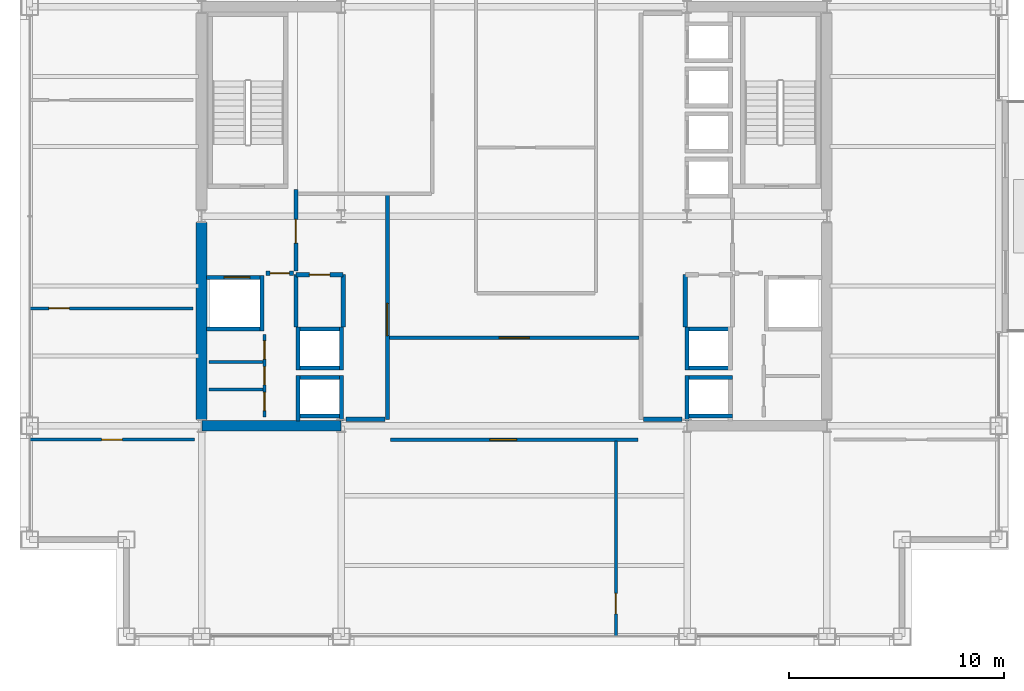
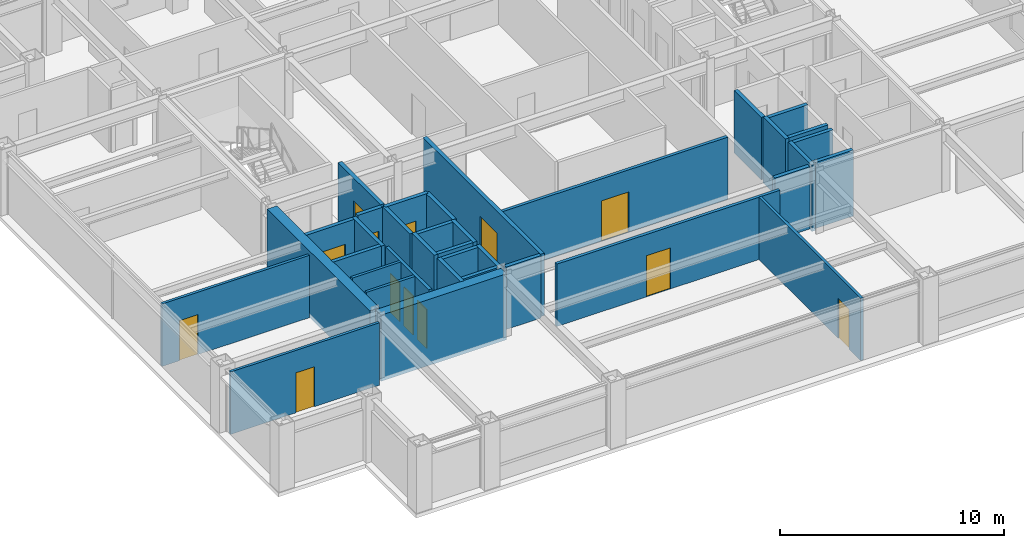
# One storey, part 24 of 29: 36 walls, 13 doors, 13 openings.
"""IFC4 building model written with IfcOpenShell, lengths in metres."""

from ifc_helpers import new_model, si_unit, direction, frame, frame_2d, origin, place, context, subcontext, project, spatial, rectangle, extrude, material, layer, layer_set, type_object, element, fill, save


model = new_model("IFC4")

# Units and contexts
model_context = context("Model", 3, precision=1e-05, world=origin(), true_north=direction((0.0, 1.0)))
body_context = subcontext(model_context, "Body", "Model", "MODEL_VIEW")
ifc_project = project(units=[si_unit("LENGTHUNIT", "METRE"), si_unit("AREAUNIT", "SQUARE_METRE"), si_unit("VOLUMEUNIT", "CUBIC_METRE"), si_unit("PLANEANGLEUNIT", "RADIAN"), si_unit("MASSUNIT", "GRAM", prefix="KILO")], contexts=[model_context])

# Site, building, storey
site_placement = place(None, origin())
site = spatial("IfcSite", under=ifc_project, at=site_placement, CompositionType="ELEMENT")
building_placement = place(site_placement, origin())
building = spatial("IfcBuilding", under=site, at=building_placement, Name="Brelmoor Portico Tower", CompositionType="ELEMENT")
storey_placement = place(building_placement, frame((0.0, 0.0, 135.0)))
storey = spatial("IfcBuildingStorey", under=building, at=storey_placement, Name="L35", CompositionType="ELEMENT", Elevation=135.0)

# Walls
ifc_material_1 = material(Name="Concrete C60", Category="concrete")
ifc_layer_1 = layer(ifc_material_1, 0.5)
ifc_layer_set_1 = layer_set([ifc_layer_1], Name="Concrete C60")
wall_type_1 = type_object("IfcWallType", Name="WL-CORE-500", PredefinedType="SHEAR", material=ifc_layer_set_1)
wall_1_placement = place(storey_placement, frame((-14.530029296875, -9.75, -0.199951171875), z_axis=(0.0, 0.0, 1.0), x_axis=(1.0, 0.0, 0.0)))
element("IfcWall", 1, at=wall_1_placement, inside=storey, type_object=wall_type_1, Name="L35 WC South Shear Wall", PredefinedType="SHEAR", context=body_context, shape_type="SweptSolid", body=[
    extrude(rectangle(XDim=6.4599609375, YDim=0.5, at=frame_2d((3.22998046875, 0.0))), origin(), (0.0, 0.0, 1.0), 3.599853515625),
])
wall_2_placement = place(storey_placement, frame((-14.550048828125, -9.449951171875, -0.199951171875), z_axis=(0.0, 0.0, 1.0), x_axis=(0.0, 1.0, 0.0)))
element("IfcWall", 2, at=wall_2_placement, inside=storey, type_object=wall_type_1, Name="L35 WC Outer South Shear Wall", PredefinedType="SHEAR", context=body_context, shape_type="SweptSolid", body=[
    extrude(rectangle(XDim=9.14990234375, YDim=0.5, at=frame_2d((4.574951171875, 0.0))), origin(), (0.0, 0.0, 1.0), 3.599853515625),
])
ifc_material_2 = material(Name="Insulated Stud Suite Partition", Category="gypsum")
ifc_layer_2 = layer(ifc_material_2, 0.139892578125)
ifc_layer_set_2 = layer_set([ifc_layer_2], Name="Insulated Stud Suite Partition")
wall_type_2 = type_object("IfcWallType", Name="WL-PART-140", PredefinedType="PARTITIONING", material=ifc_layer_set_2)
for number, where, z_axis, x_axis, name in (
    (3, (-11.699951171875, -8.066650390625, 0.0), (0.0, 0.0, 1.0), (-1.0, 0.0, 0.0), "L35 W Core WC Divider 1"),
    (4, (-11.699951171875, -6.783203125, 0.0), (0.0, 0.0, 1.0), (-1.0, 0.0, 0.0), "L35 W Core WC Divider 2"),
):
    element("IfcWall", number, at=place(storey_placement, frame(where, z_axis=z_axis, x_axis=x_axis)), inside=storey, type_object=wall_type_2, Name=name, PredefinedType="PARTITIONING", context=body_context, shape_type="SweptSolid", body=[
        extrude(rectangle(XDim=2.5, YDim=0.139892578125, at=frame_2d((1.25, 0.0))), origin(), (0.0, 0.0, 1.0), 3.39990234375),
    ])

# Wall, opening, door
wall_3_placement = place(storey_placement, frame((4.73486328125, -19.56005859375, 0.0), z_axis=(0.0, 0.0, 1.0), x_axis=(0.0, 1.0, 0.0)))
wall_3 = element("IfcWall", 5, at=wall_3_placement, inside=storey, type_object=wall_type_2, Name="L35 South Suite Partition 1", PredefinedType="PARTITIONING", context=body_context, shape_type="SweptSolid", body=[
    extrude(rectangle(XDim=9.10009765625, YDim=0.139892578125, at=frame_2d((4.550048828125, 0.0))), origin(), (0.0, 0.0, 1.0), 3.39990234375),
])
opening_1_placement = place(wall_3_placement, frame((1.050048828125, 0.0, 0.0)))
opening_1 = element("IfcOpeningElement", 6, at=opening_1_placement, cuts=wall_3, Name="Opening D-IN2", PredefinedType="OPENING", context=body_context, shape_type="SweptSolid", body=[
    extrude(rectangle(XDim=0.9599609375, YDim=2.179931640625, at=frame_2d((0.47998046875, 1.08984375))), frame((0.0, 0.079833984375, 0.0), z_axis=(0.0, -1.0, 0.0), x_axis=(1.0, 0.0, 0.0)), (0.0, 0.0, 1.0), 0.159912109375),
])
ifc_material_3 = material(Name="Lacquered Timber Suite Door", Category="wood")
door_type_1 = type_object("IfcDoorType", Name="DR-INT-950", OperationType="NOTDEFINED", PredefinedType="DOOR", material=ifc_material_3)
door_1_placement = place(opening_1_placement, origin())
door_1 = element("IfcDoor", 7, at=door_1_placement, inside=storey, type_object=door_type_1, Name="D-1540 L35 South Suite Connecting Door 1", OperationType="SINGLE_SWING_LEFT", OverallHeight=2.179931640625, OverallWidth=0.9599609375, PredefinedType="DOOR", context=body_context, shape_type="SweptSolid", body=[
    extrude(rectangle(XDim=0.9599609375, YDim=2.179931640625, at=frame_2d((0.47998046875, 1.08984375))), frame((0.0, 0.02490234375, 0.0), z_axis=(0.0, -1.0, 0.0), x_axis=(1.0, 0.0, 0.0)), (0.0, 0.0, 1.0), 0.050048828125),
])
fill(opening_1, door_1)

wall_4_placement = place(storey_placement, frame((-22.56005859375, -10.39990234375, 0.0), z_axis=(0.0, 0.0, 1.0), x_axis=(1.0, 0.0, 0.0)))
wall_4 = element("IfcWall", 8, at=wall_4_placement, inside=storey, type_object=wall_type_2, Name="L35 South Wing Closure WL", PredefinedType="PARTITIONING", context=body_context, shape_type="SweptSolid", body=[
    extrude(rectangle(XDim=7.68017578125, YDim=0.139892578125, at=frame_2d((3.840087890625, 0.0))), origin(), (0.0, 0.0, 1.0), 3.39990234375),
])
opening_2_placement = place(wall_4_placement, frame((3.360107421875, 0.0, 0.0)))
opening_2 = element("IfcOpeningElement", 9, at=opening_2_placement, cuts=wall_4, Name="Opening D-IN2", PredefinedType="OPENING", context=body_context, shape_type="SweptSolid", body=[
    extrude(rectangle(XDim=0.9599609375, YDim=2.179931640625, at=frame_2d((0.47998046875, 1.08984375))), frame((0.0, 0.079833984375, 0.0), z_axis=(0.0, -1.0, 0.0), x_axis=(1.0, 0.0, 0.0)), (0.0, 0.0, 1.0), 0.159912109375),
])
door_2_placement = place(opening_2_placement, origin())
door_2 = element("IfcDoor", 10, at=door_2_placement, inside=storey, type_object=door_type_1, Name="D-1544 L35 WL Wing South Suite Door", OperationType="SINGLE_SWING_LEFT", OverallHeight=2.179931640625, OverallWidth=0.9599609375, PredefinedType="DOOR", context=body_context, shape_type="SweptSolid", body=[
    extrude(rectangle(XDim=0.9599609375, YDim=2.179931640625, at=frame_2d((0.47998046875, 1.08984375))), frame((0.0, 0.02490234375, 0.0), z_axis=(0.0, -1.0, 0.0), x_axis=(1.0, 0.0, 0.0)), (0.0, 0.0, 1.0), 0.050048828125),
])
fill(opening_2, door_2)

wall_5_placement = place(storey_placement, frame((-22.56005859375, -4.288818359375, 0.0), z_axis=(0.0, 0.0, 1.0), x_axis=(1.0, 0.0, 0.0)))
wall_5 = element("IfcWall", 11, at=wall_5_placement, inside=storey, type_object=wall_type_2, Name="L35 W Wing Partition 1", PredefinedType="PARTITIONING", context=body_context, shape_type="SweptSolid", body=[
    extrude(rectangle(XDim=7.60009765625, YDim=0.139892578125, at=frame_2d((3.800048828125, 0.0))), origin(), (0.0, 0.0, 1.0), 3.39990234375),
])
opening_3_placement = place(wall_5_placement, frame((0.89990234375, 0.0, 0.0)))
opening_3 = element("IfcOpeningElement", 12, at=opening_3_placement, cuts=wall_5, Name="Opening D-IN2", PredefinedType="OPENING", context=body_context, shape_type="SweptSolid", body=[
    extrude(rectangle(XDim=0.9599609375, YDim=2.179931640625, at=frame_2d((0.47998046875, 1.08984375))), frame((0.0, 0.079833984375, 0.0), z_axis=(0.0, -1.0, 0.0), x_axis=(1.0, 0.0, 0.0)), (0.0, 0.0, 1.0), 0.159912109375),
])
door_3_placement = place(opening_3_placement, origin())
door_3 = element("IfcDoor", 13, at=door_3_placement, inside=storey, type_object=door_type_1, Name="D-1549 L35 W Wing Suite Connecting Door 1", OperationType="SINGLE_SWING_RIGHT", OverallHeight=2.179931640625, OverallWidth=0.9599609375, PredefinedType="DOOR", context=body_context, shape_type="SweptSolid", body=[
    extrude(rectangle(XDim=0.9599609375, YDim=2.179931640625, at=frame_2d((0.47998046875, 1.08984375))), frame((0.0, 0.02490234375, 0.0), z_axis=(0.0, -1.0, 0.0), x_axis=(1.0, 0.0, 0.0)), (0.0, 0.0, 1.0), 0.050048828125),
])
fill(opening_3, door_3)

# Wall, openings, doors
ifc_material_4 = material(Name="Twin-Frame Acoustic Partition", Category="gypsum")
ifc_layer_3 = layer(ifc_material_4, 0.159912109375)
ifc_layer_set_3 = layer_set([ifc_layer_3], Name="Twin-Frame Acoustic Partition")
wall_type_3 = type_object("IfcWallType", Name="WL-PART-160", PredefinedType="PARTITIONING", material=ifc_layer_set_3)
wall_6_placement = place(storey_placement, frame((-11.6201171875, -9.35009765625, 0.0), z_axis=(0.0, 0.0, 1.0), x_axis=(0.0, 1.0, 0.0)))
wall_6 = element("IfcWall", 14, at=wall_6_placement, inside=storey, type_object=wall_type_3, Name="L35 W Core Service Front Wall", PredefinedType="PARTITIONING", context=body_context, shape_type="SweptSolid", body=[
    extrude(rectangle(XDim=3.85009765625, YDim=0.159912109375, at=frame_2d((1.925048828125, 0.0))), origin(), (0.0, 0.0, 1.0), 3.39990234375),
])
opening_4_placement = place(wall_6_placement, frame((0.300048828125, 0.0, 0.0)))
opening_4 = element("IfcOpeningElement", 15, at=opening_4_placement, cuts=wall_6, Name="Opening D-WC1", PredefinedType="OPENING", context=body_context, shape_type="SweptSolid", body=[
    extrude(rectangle(XDim=0.85009765625, YDim=2.1201171875, at=frame_2d((0.425048828125, 1.06005859375))), frame((0.0, 0.08984375, 0.0), z_axis=(0.0, -1.0, 0.0), x_axis=(1.0, 0.0, 0.0)), (0.0, 0.0, 1.0), 0.179931640625),
])
opening_5_placement = place(wall_6_placement, frame((1.5, 0.0, 0.0)))
opening_5 = element("IfcOpeningElement", 16, at=opening_5_placement, cuts=wall_6, Name="Opening D-WC1", PredefinedType="OPENING", context=body_context, shape_type="SweptSolid", body=[
    extrude(rectangle(XDim=0.85009765625, YDim=2.1201171875, at=frame_2d((0.425048828125, 1.06005859375))), frame((0.0, 0.08984375, 0.0), z_axis=(0.0, -1.0, 0.0), x_axis=(1.0, 0.0, 0.0)), (0.0, 0.0, 1.0), 0.179931640625),
])
opening_6_placement = place(wall_6_placement, frame((2.699951171875, 0.0, 0.0)))
opening_6 = element("IfcOpeningElement", 17, at=opening_6_placement, cuts=wall_6, Name="Opening D-WC1", PredefinedType="OPENING", context=body_context, shape_type="SweptSolid", body=[
    extrude(rectangle(XDim=0.85009765625, YDim=2.1201171875, at=frame_2d((0.425048828125, 1.06005859375))), frame((0.0, 0.08984375, 0.0), z_axis=(0.0, -1.0, 0.0), x_axis=(1.0, 0.0, 0.0)), (0.0, 0.0, 1.0), 0.179931640625),
])
ifc_material_5 = material(Name="Moisture-Resistant Laminate WC Door", Category="timber")
door_type_2 = type_object("IfcDoorType", Name="DR-WC-850", OperationType="NOTDEFINED", PredefinedType="DOOR", material=ifc_material_5)
door_4_placement = place(opening_4_placement, origin())
door_4 = element("IfcDoor", 18, at=door_4_placement, inside=storey, type_object=door_type_2, Name="D-1518 L35 W Accessible WC Door", OperationType="SINGLE_SWING_RIGHT", OverallHeight=2.1201171875, OverallWidth=0.85009765625, PredefinedType="DOOR", context=body_context, shape_type="SweptSolid", body=[
    extrude(rectangle(XDim=0.85009765625, YDim=2.1201171875, at=frame_2d((0.425048828125, 1.06005859375))), frame((0.0, 0.02490234375, 0.0), z_axis=(0.0, -1.0, 0.0), x_axis=(1.0, 0.0, 0.0)), (0.0, 0.0, 1.0), 0.050048828125),
])
fill(opening_4, door_4)
door_5_placement = place(opening_5_placement, origin())
door_5 = element("IfcDoor", 19, at=door_5_placement, inside=storey, type_object=door_type_2, Name="D-1519 L35 W Staff WC Door", OperationType="SINGLE_SWING_LEFT", OverallHeight=2.1201171875, OverallWidth=0.85009765625, PredefinedType="DOOR", context=body_context, shape_type="SweptSolid", body=[
    extrude(rectangle(XDim=0.85009765625, YDim=2.1201171875, at=frame_2d((0.425048828125, 1.06005859375))), frame((0.0, 0.02490234375, 0.0), z_axis=(0.0, -1.0, 0.0), x_axis=(1.0, 0.0, 0.0)), (0.0, 0.0, 1.0), 0.050048828125),
])
fill(opening_5, door_5)
door_6_placement = place(opening_6_placement, origin())
door_6 = element("IfcDoor", 20, at=door_6_placement, inside=storey, type_object=door_type_2, Name="D-1520 L35 W Cleaner Store Door", OperationType="SINGLE_SWING_RIGHT", OverallHeight=2.1201171875, OverallWidth=0.85009765625, PredefinedType="DOOR", context=body_context, shape_type="SweptSolid", body=[
    extrude(rectangle(XDim=0.85009765625, YDim=2.1201171875, at=frame_2d((0.425048828125, 1.06005859375))), frame((0.0, 0.02490234375, 0.0), z_axis=(0.0, -1.0, 0.0), x_axis=(1.0, 0.0, 0.0)), (0.0, 0.0, 1.0), 0.050048828125),
])
fill(opening_6, door_6)

# Wall, opening, door
wall_7_placement = place(storey_placement, frame((-5.800048828125, -5.64990234375, 0.0), z_axis=(0.0, 0.0, 1.0), x_axis=(1.0, 0.0, 0.0)))
wall_7 = element("IfcWall", 21, at=wall_7_placement, inside=storey, type_object=wall_type_3, Name="L35 South Hub Corridor Wall", PredefinedType="PARTITIONING", context=body_context, shape_type="SweptSolid", body=[
    extrude(rectangle(XDim=11.60009765625, YDim=0.159912109375, at=frame_2d((5.800048828125, 0.0))), origin(), (0.0, 0.0, 1.0), 3.39990234375),
])
opening_7_placement = place(wall_7_placement, frame((5.10009765625, 0.0, 0.0)))
opening_7 = element("IfcOpeningElement", 22, at=opening_7_placement, cuts=wall_7, Name="Opening D-SU2", PredefinedType="OPENING", context=body_context, shape_type="SweptSolid", body=[
    extrude(rectangle(XDim=1.39990234375, YDim=2.199951171875, at=frame_2d((0.699951171875, 1.10009765625))), frame((0.0, 0.08984375, 0.0), z_axis=(0.0, -1.0, 0.0), x_axis=(1.0, 0.0, 0.0)), (0.0, 0.0, 1.0), 0.179931640625),
])
ifc_material_6 = material(Name="Double-Leaf Acoustic Suite Door", Category="timber")
door_type_3 = type_object("IfcDoorType", Name="DR-SUITE-1400", OperationType="NOTDEFINED", PredefinedType="DOOR", material=ifc_material_6)
door_7_placement = place(opening_7_placement, origin())
door_7 = element("IfcDoor", 23, at=door_7_placement, inside=storey, type_object=door_type_3, Name="D-1511 L35 South Reception Hub Door", OperationType="DOUBLE_DOOR_SINGLE_SWING", OverallHeight=2.199951171875, OverallWidth=1.39990234375, PredefinedType="DOOR", context=body_context, shape_type="SweptSolid", body=[
    extrude(rectangle(XDim=1.39990234375, YDim=2.199951171875, at=frame_2d((0.699951171875, 1.10009765625))), frame((0.0, 0.02490234375, 0.0), z_axis=(0.0, -1.0, 0.0), x_axis=(1.0, 0.0, 0.0)), (0.0, 0.0, 1.0), 0.050048828125),
])
fill(opening_7, door_7)

wall_8_placement = place(storey_placement, frame((-5.75, -10.39990234375, 0.0), z_axis=(0.0, 0.0, 1.0), x_axis=(1.0, 0.0, 0.0)))
wall_8 = element("IfcWall", 24, at=wall_8_placement, inside=storey, type_object=wall_type_3, Name="L35 South Corridor Partition", PredefinedType="PARTITIONING", context=body_context, shape_type="SweptSolid", body=[
    extrude(rectangle(XDim=11.5, YDim=0.159912109375, at=frame_2d((5.75, 0.0))), origin(), (0.0, 0.0, 1.0), 3.39990234375),
])
opening_8_placement = place(wall_8_placement, frame((4.622314453125, 0.0, 0.0)))
opening_8 = element("IfcOpeningElement", 25, at=opening_8_placement, cuts=wall_8, Name="Opening D-SU1", PredefinedType="OPENING", context=body_context, shape_type="SweptSolid", body=[
    extrude(rectangle(XDim=1.239990234375, YDim=2.239990234375, at=frame_2d((0.6201171875, 1.1201171875))), frame((0.0, 0.08984375, 0.0), z_axis=(0.0, -1.0, 0.0), x_axis=(1.0, 0.0, 0.0)), (0.0, 0.0, 1.0), 0.179931640625),
])
ifc_material_7 = material(Name="Glazed Timber Executive Suite Door", Category="wood")
door_type_4 = type_object("IfcDoorType", Name="DR-SUITE-1200", OperationType="NOTDEFINED", PredefinedType="DOOR", material=ifc_material_7)
door_8_placement = place(opening_8_placement, origin())
door_8 = element("IfcDoor", 26, at=door_8_placement, inside=storey, type_object=door_type_4, Name="D-1539 L35 South Open-Plan Office 1 Door", OperationType="SINGLE_SWING_RIGHT", OverallHeight=2.239990234375, OverallWidth=1.239990234375, PredefinedType="DOOR", context=body_context, shape_type="SweptSolid", body=[
    extrude(rectangle(XDim=1.239990234375, YDim=2.239990234375, at=frame_2d((0.6201171875, 1.1201171875))), frame((0.0, 0.02490234375, 0.0), z_axis=(0.0, -1.0, 0.0), x_axis=(1.0, 0.0, 0.0)), (0.0, 0.0, 1.0), 0.050048828125),
])
fill(opening_8, door_8)

ifc_material_8 = material(Name="Double-Stud Gypsum Fire Partition", Category="gypsum")
ifc_layer_4 = layer(ifc_material_8, 0.199951171875)
ifc_layer_set_4 = layer_set([ifc_layer_4], Name="Double-Stud Gypsum Fire Partition")
wall_type_4 = type_object("IfcWallType", Name="WL-PART-200", PredefinedType="PARTITIONING", material=ifc_layer_set_4)
wall_9_placement = place(storey_placement, frame((-5.89990234375, -9.449951171875, 0.0), z_axis=(0.0, 0.0, 1.0), x_axis=(0.0, 1.0, 0.0)))
wall_9 = element("IfcWall", 27, at=wall_9_placement, inside=storey, type_object=wall_type_4, Name="L35 W Core Lobby Compartment Wall", PredefinedType="PARTITIONING", context=body_context, shape_type="SweptSolid", body=[
    extrude(rectangle(XDim=10.5, YDim=0.199951171875, at=frame_2d((5.25, 0.0))), origin(), (0.0, 0.0, 1.0), 3.39990234375),
])
opening_9_placement = place(wall_9_placement, frame((3.89990234375, 0.0, 0.0)))
opening_9 = element("IfcOpeningElement", 28, at=opening_9_placement, cuts=wall_9, Name="Opening D-LB1", PredefinedType="OPENING", context=body_context, shape_type="SweptSolid", body=[
    extrude(rectangle(XDim=1.5, YDim=2.199951171875, at=frame_2d((0.75, 1.10009765625))), frame((0.0, 0.10986328125, 0.0), z_axis=(0.0, -1.0, 0.0), x_axis=(1.0, 0.0, 0.0)), (0.0, 0.0, 1.0), 0.219970703125),
])
ifc_material_9 = material(Name="Double-Leaf Glazed Steel Fire Door", Category="steel")
door_type_5 = type_object("IfcDoorType", Name="DR-LOBBY-1500", OperationType="NOTDEFINED", PredefinedType="DOOR", material=ifc_material_9)
door_9_placement = place(opening_9_placement, origin())
door_9 = element("IfcDoor", 29, at=door_9_placement, inside=storey, type_object=door_type_5, Name="D-1526 L35 W Lift Lobby Main Door", OperationType="DOUBLE_DOOR_SINGLE_SWING", OverallHeight=2.199951171875, OverallWidth=1.5, PredefinedType="DOOR", context=body_context, shape_type="SweptSolid", body=[
    extrude(rectangle(XDim=1.5, YDim=2.199951171875, at=frame_2d((0.75, 1.10009765625))), frame((0.0, 0.02490234375, 0.0), z_axis=(0.0, -1.0, 0.0), x_axis=(1.0, 0.0, 0.0)), (0.0, 0.0, 1.0), 0.050048828125),
])
fill(opening_9, door_9)

# Wall
wall_10_placement = place(storey_placement, frame((-6.02001953125, -9.449951171875, 0.0), z_axis=(0.0, 0.0, 1.0), x_axis=(-1.0, 0.0, 0.0)))
element("IfcWall", 30, at=wall_10_placement, inside=storey, type_object=wall_type_4, Name="L35 W Lift Lobby South End Wall", PredefinedType="PARTITIONING", context=body_context, shape_type="SweptSolid", body=[
    extrude(rectangle(XDim=1.800048828125, YDim=0.199951171875, at=frame_2d((0.89990234375, 0.0))), origin(), (0.0, 0.0, 1.0), 3.39990234375),
])

# Wall, opening, door
wall_11_placement = place(storey_placement, frame((-10.159912109375, -2.550048828125, 0.0), z_axis=(0.0, 0.0, 1.0), x_axis=(0.0, 1.0, 0.0)))
wall_11 = element("IfcWall", 31, at=wall_11_placement, inside=storey, type_object=wall_type_4, Name="L35 W Firefighting Lobby Wall", PredefinedType="PARTITIONING", context=body_context, shape_type="SweptSolid", body=[
    extrude(rectangle(XDim=3.800048828125, YDim=0.199951171875, at=frame_2d((1.89990234375, 0.0))), origin(), (0.0, 0.0, 1.0), 3.39990234375),
])
opening_10_placement = place(wall_11_placement, frame((1.300048828125, 0.0, 0.0)))
opening_10 = element("IfcOpeningElement", 32, at=opening_10_placement, cuts=wall_11, Name="Opening D-FR1", PredefinedType="OPENING", context=body_context, shape_type="SweptSolid", body=[
    extrude(rectangle(XDim=1.10009765625, YDim=2.14990234375, at=frame_2d((0.550048828125, 1.074951171875))), frame((0.0, 0.10986328125, 0.0), z_axis=(0.0, -1.0, 0.0), x_axis=(1.0, 0.0, 0.0)), (0.0, 0.0, 1.0), 0.219970703125),
])
ifc_material_10 = material(Name="Painted Galvanised Steel Fire Door", Category="steel")
door_type_6 = type_object("IfcDoorType", Name="DR-FIRE-1100", OperationType="NOTDEFINED", PredefinedType="DOOR", material=ifc_material_10)
door_10_placement = place(opening_10_placement, origin())
door_10 = element("IfcDoor", 33, at=door_10_placement, inside=storey, type_object=door_type_6, Name="D-1524 L35 W Firefighting Lobby Door", OperationType="SINGLE_SWING_LEFT", OverallHeight=2.14990234375, OverallWidth=1.10009765625, PredefinedType="DOOR", context=body_context, shape_type="SweptSolid", body=[
    extrude(rectangle(XDim=1.10009765625, YDim=2.14990234375, at=frame_2d((0.550048828125, 1.074951171875))), frame((0.0, 0.02490234375, 0.0), z_axis=(0.0, -1.0, 0.0), x_axis=(1.0, 0.0, 0.0)), (0.0, 0.0, 1.0), 0.050048828125),
])
fill(opening_10, door_10)

wall_12_placement = place(storey_placement, frame((-10.280029296875, -2.64990234375, 0.0), z_axis=(0.0, 0.0, 1.0), x_axis=(-1.0, 0.0, 0.0)))
wall_12 = element("IfcWall", 34, at=wall_12_placement, inside=storey, type_object=wall_type_4, Name="L35 W Firefighting Lobby South Wall", PredefinedType="PARTITIONING", context=body_context, shape_type="SweptSolid", body=[
    extrude(rectangle(XDim=1.27001953125, YDim=0.199951171875, at=frame_2d((0.635009765625, 0.0))), origin(), (0.0, 0.0, 1.0), 3.39990234375),
])
opening_11_placement = place(wall_12_placement, frame((0.18505859375, 0.0, 0.0)))
opening_11 = element("IfcOpeningElement", 35, at=opening_11_placement, cuts=wall_12, Name="Opening D-IN1", PredefinedType="OPENING", context=body_context, shape_type="SweptSolid", body=[
    extrude(rectangle(XDim=0.89990234375, YDim=2.14990234375, at=frame_2d((0.449951171875, 1.074951171875))), frame((0.0, 0.10986328125, 0.0), z_axis=(0.0, -1.0, 0.0), x_axis=(1.0, 0.0, 0.0)), (0.0, 0.0, 1.0), 0.219970703125),
])
door_type_7 = type_object("IfcDoorType", Name="DR-INT-900", OperationType="NOTDEFINED", PredefinedType="DOOR", material=ifc_material_3)
door_11_placement = place(opening_11_placement, origin())
door_11 = element("IfcDoor", 36, at=door_11_placement, inside=storey, type_object=door_type_7, Name="D-1517 L35 W Core Service Vestibule Door", OperationType="SINGLE_SWING_RIGHT", OverallHeight=2.14990234375, OverallWidth=0.89990234375, PredefinedType="DOOR", context=body_context, shape_type="SweptSolid", body=[
    extrude(rectangle(XDim=0.89990234375, YDim=2.14990234375, at=frame_2d((0.449951171875, 1.074951171875))), frame((0.0, 0.02490234375, 0.0), z_axis=(0.0, -1.0, 0.0), x_axis=(1.0, 0.0, 0.0)), (0.0, 0.0, 1.0), 0.050048828125),
])
fill(opening_11, door_11)

wall_13_placement = place(storey_placement, frame((-7.9599609375, -2.719970703125, 0.0), z_axis=(0.0, 0.0, 1.0), x_axis=(-1.0, 0.0, 0.0)))
wall_13 = element("IfcWall", 37, at=wall_13_placement, inside=storey, type_object=wall_type_4, Name="L35 W Electrical Switchgear Closet Wall", PredefinedType="PARTITIONING", context=body_context, shape_type="SweptSolid", body=[
    extrude(rectangle(XDim=2.199951171875, YDim=0.199951171875, at=frame_2d((1.10009765625, 0.0))), origin(), (0.0, 0.0, 1.0), 3.39990234375),
])
opening_12_placement = place(wall_13_placement, frame((0.6201171875, 0.0, 0.0)))
opening_12 = element("IfcOpeningElement", 38, at=opening_12_placement, cuts=wall_13, Name="Opening D-FR4", PredefinedType="OPENING", context=body_context, shape_type="SweptSolid", body=[
    extrude(rectangle(XDim=0.949951171875, YDim=2.10009765625, at=frame_2d((0.47509765625, 1.050048828125))), frame((0.0, 0.10986328125, 0.0), z_axis=(0.0, -1.0, 0.0), x_axis=(1.0, 0.0, 0.0)), (0.0, 0.0, 1.0), 0.219970703125),
])
ifc_material_11 = material(Name="Painted Galvanised Steel Riser Door", Category="steel")
door_type_8 = type_object("IfcDoorType", Name="DR-FIRE-950", OperationType="NOTDEFINED", PredefinedType="DOOR", material=ifc_material_11)
door_12_placement = place(opening_12_placement, origin())
door_12 = element("IfcDoor", 39, at=door_12_placement, inside=storey, type_object=door_type_8, Name="D-1522 L35 W Electrical Switchgear Closet Door", OperationType="SINGLE_SWING_LEFT", OverallHeight=2.10009765625, OverallWidth=0.949951171875, PredefinedType="DOOR", context=body_context, shape_type="SweptSolid", body=[
    extrude(rectangle(XDim=0.949951171875, YDim=2.10009765625, at=frame_2d((0.47509765625, 1.050048828125))), frame((0.0, 0.02490234375, 0.0), z_axis=(0.0, -1.0, 0.0), x_axis=(1.0, 0.0, 0.0)), (0.0, 0.0, 1.0), 0.050048828125),
])
fill(opening_12, door_12)

# Walls
for number, where, z_axis, x_axis, name in (
    (40, (-7.9599609375, -5.159912109375, 0.0), (0.0, 0.0, 1.0), (0.0, 1.0, 0.0), "L35 W Electrical Switchgear Closet Inner Wall"),
    (41, (-10.159912109375, -5.159912109375, 0.0), (0.0, 0.0, 1.0), (0.0, 1.0, 0.0), "L35 W Electrical Switchgear Closet Outer Wall"),
):
    element("IfcWall", number, at=place(storey_placement, frame(where, z_axis=z_axis, x_axis=x_axis)), inside=storey, type_object=wall_type_4, Name=name, PredefinedType="PARTITIONING", context=body_context, shape_type="SweptSolid", body=[
        extrude(rectangle(XDim=2.43994140625, YDim=0.199951171875, at=frame_2d((1.219970703125, 0.0))), origin(), (0.0, 0.0, 1.0), 3.39990234375),
    ])
wall_14_placement = place(storey_placement, frame((6.02001953125, -9.449951171875, 0.0), z_axis=(0.0, 0.0, 1.0), x_axis=(1.0, 0.0, 0.0)))
element("IfcWall", 42, at=wall_14_placement, inside=storey, type_object=wall_type_4, Name="L35 E Lift Lobby South End Wall", PredefinedType="PARTITIONING", context=body_context, shape_type="SweptSolid", body=[
    extrude(rectangle(XDim=1.800048828125, YDim=0.199951171875, at=frame_2d((0.89990234375, 0.0))), origin(), (0.0, 0.0, 1.0), 3.39990234375),
])
wall_15_placement = place(storey_placement, frame((7.9599609375, -5.159912109375, 0.0), z_axis=(0.0, 0.0, 1.0), x_axis=(0.0, 1.0, 0.0)))
element("IfcWall", 43, at=wall_15_placement, inside=storey, type_object=wall_type_4, Name="L35 E Electrical Switchgear Closet Inner Wall", PredefinedType="PARTITIONING", context=body_context, shape_type="SweptSolid", body=[
    extrude(rectangle(XDim=2.43994140625, YDim=0.199951171875, at=frame_2d((1.219970703125, 0.0))), origin(), (0.0, 0.0, 1.0), 3.39990234375),
])
ifc_material_12 = material(Name="Precast Concrete C40", Category="concrete")
ifc_layer_5 = layer(ifc_material_12, 0.18994140625)
ifc_layer_set_5 = layer_set([ifc_layer_5], Name="Precast Concrete C40")
wall_type_5 = type_object("IfcWallType", Name="WL-SHAFT-180", PredefinedType="SOLIDWALL", material=ifc_layer_set_5)
for number, where, z_axis, x_axis, name in (
    (44, (-8.044921875, -9.52001953125, -0.199951171875), (0.0, 0.0, 1.0), (0.0, 1.0, 0.0), "L35 Lift PH1 Hoistway Front Wall"),
    (45, (-10.054931640625, -9.52001953125, -0.199951171875), (0.0, 0.0, 1.0), (0.0, 1.0, 0.0), "L35 Lift PH1 Hoistway Back Wall"),
):
    element("IfcWall", number, at=place(storey_placement, frame(where, z_axis=z_axis, x_axis=x_axis)), inside=storey, type_object=wall_type_5, Name=name, PredefinedType="SOLIDWALL", context=body_context, shape_type="SweptSolid", body=[
        extrude(rectangle(XDim=2.1201171875, YDim=0.18994140625, at=frame_2d((1.06005859375, 0.0))), origin(), (0.0, 0.0, 1.0), 3.599853515625),
    ])
for number, where, z_axis, x_axis, name in (
    (46, (-10.14990234375, -7.4951171875, -0.199951171875), (0.0, 0.0, 1.0), (1.0, 0.0, 0.0), "L35 Lift PH1 Hoistway North Wall"),
    (47, (-10.14990234375, -9.304931640625, -0.199951171875), (0.0, 0.0, 1.0), (1.0, 0.0, 0.0), "L35 Lift PH1 Hoistway South Wall"),
):
    element("IfcWall", number, at=place(storey_placement, frame(where, z_axis=z_axis, x_axis=x_axis)), inside=storey, type_object=wall_type_5, Name=name, PredefinedType="SOLIDWALL", context=body_context, shape_type="SweptSolid", body=[
        extrude(rectangle(XDim=2.199951171875, YDim=0.18994140625, at=frame_2d((1.10009765625, 0.0))), origin(), (0.0, 0.0, 1.0), 3.599853515625),
    ])
for number, where, z_axis, x_axis, name in (
    (48, (-8.044921875, -7.14990234375, -0.199951171875), (0.0, 0.0, 1.0), (0.0, 1.0, 0.0), "L35 Lift PH2 Hoistway Front Wall"),
    (49, (-10.054931640625, -7.14990234375, -0.199951171875), (0.0, 0.0, 1.0), (0.0, 1.0, 0.0), "L35 Lift PH2 Hoistway Back Wall"),
):
    element("IfcWall", number, at=place(storey_placement, frame(where, z_axis=z_axis, x_axis=x_axis)), inside=storey, type_object=wall_type_5, Name=name, PredefinedType="SOLIDWALL", context=body_context, shape_type="SweptSolid", body=[
        extrude(rectangle(XDim=2.0, YDim=0.18994140625, at=frame_2d((1.0, 0.0))), origin(), (0.0, 0.0, 1.0), 3.599853515625),
    ])
for number, where, z_axis, x_axis, name in (
    (50, (-10.14990234375, -5.2451171875, -0.199951171875), (0.0, 0.0, 1.0), (1.0, 0.0, 0.0), "L35 Lift PH2 Hoistway North Wall"),
    (51, (-10.14990234375, -7.054931640625, -0.199951171875), (0.0, 0.0, 1.0), (1.0, 0.0, 0.0), "L35 Lift PH2 Hoistway South Wall"),
):
    element("IfcWall", number, at=place(storey_placement, frame(where, z_axis=z_axis, x_axis=x_axis)), inside=storey, type_object=wall_type_5, Name=name, PredefinedType="SOLIDWALL", context=body_context, shape_type="SweptSolid", body=[
        extrude(rectangle(XDim=2.199951171875, YDim=0.18994140625, at=frame_2d((1.10009765625, 0.0))), origin(), (0.0, 0.0, 1.0), 3.599853515625),
    ])
wall_16_placement = place(storey_placement, frame((8.044921875, -9.52001953125, -0.199951171875), z_axis=(0.0, 0.0, 1.0), x_axis=(0.0, 1.0, 0.0)))
element("IfcWall", 52, at=wall_16_placement, inside=storey, type_object=wall_type_5, Name="L35 Lift PH3 Hoistway Front Wall", PredefinedType="SOLIDWALL", context=body_context, shape_type="SweptSolid", body=[
    extrude(rectangle(XDim=2.1201171875, YDim=0.18994140625, at=frame_2d((1.06005859375, 0.0))), origin(), (0.0, 0.0, 1.0), 3.599853515625),
])
for number, where, z_axis, x_axis, name in (
    (53, (7.949951171875, -7.4951171875, -0.199951171875), (0.0, 0.0, 1.0), (1.0, 0.0, 0.0), "L35 Lift PH3 Hoistway North Wall"),
    (54, (7.949951171875, -9.304931640625, -0.199951171875), (0.0, 0.0, 1.0), (1.0, 0.0, 0.0), "L35 Lift PH3 Hoistway South Wall"),
):
    element("IfcWall", number, at=place(storey_placement, frame(where, z_axis=z_axis, x_axis=x_axis)), inside=storey, type_object=wall_type_5, Name=name, PredefinedType="SOLIDWALL", context=body_context, shape_type="SweptSolid", body=[
        extrude(rectangle(XDim=2.199951171875, YDim=0.18994140625, at=frame_2d((1.10009765625, 0.0))), origin(), (0.0, 0.0, 1.0), 3.599853515625),
    ])
wall_17_placement = place(storey_placement, frame((8.044921875, -7.14990234375, -0.199951171875), z_axis=(0.0, 0.0, 1.0), x_axis=(0.0, 1.0, 0.0)))
element("IfcWall", 55, at=wall_17_placement, inside=storey, type_object=wall_type_5, Name="L35 Lift PH4 Hoistway Front Wall", PredefinedType="SOLIDWALL", context=body_context, shape_type="SweptSolid", body=[
    extrude(rectangle(XDim=2.0, YDim=0.18994140625, at=frame_2d((1.0, 0.0))), origin(), (0.0, 0.0, 1.0), 3.599853515625),
])
for number, where, z_axis, x_axis, name in (
    (56, (7.949951171875, -5.2451171875, -0.199951171875), (0.0, 0.0, 1.0), (1.0, 0.0, 0.0), "L35 Lift PH4 Hoistway North Wall"),
    (57, (7.949951171875, -7.054931640625, -0.199951171875), (0.0, 0.0, 1.0), (1.0, 0.0, 0.0), "L35 Lift PH4 Hoistway South Wall"),
):
    element("IfcWall", number, at=place(storey_placement, frame(where, z_axis=z_axis, x_axis=x_axis)), inside=storey, type_object=wall_type_5, Name=name, PredefinedType="SOLIDWALL", context=body_context, shape_type="SweptSolid", body=[
        extrude(rectangle(XDim=2.199951171875, YDim=0.18994140625, at=frame_2d((1.10009765625, 0.0))), origin(), (0.0, 0.0, 1.0), 3.599853515625),
    ])

# Wall, opening, door
wall_18_placement = place(storey_placement, frame((-14.330078125, -2.844970703125, -0.199951171875), z_axis=(0.0, 0.0, 1.0), x_axis=(1.0, 0.0, 0.0)))
wall_18 = element("IfcWall", 58, at=wall_18_placement, inside=storey, type_object=wall_type_5, Name="L35 Lift FF1 Hoistway Front Wall", PredefinedType="SOLIDWALL", context=body_context, shape_type="SweptSolid", body=[
    extrude(rectangle(XDim=2.68017578125, YDim=0.18994140625, at=frame_2d((1.340087890625, 0.0))), origin(), (0.0, 0.0, 1.0), 3.599853515625),
])
opening_13_placement = place(wall_18_placement, frame((0.830078125, 0.0, 0.199951171875)))
opening_13 = element("IfcOpeningElement", 59, at=opening_13_placement, cuts=wall_18, Name="Opening LD-02", PredefinedType="OPENING", context=body_context, shape_type="SweptSolid", body=[
    extrude(rectangle(XDim=1.199951171875, YDim=2.199951171875, at=frame_2d((0.60009765625, 1.10009765625))), frame((0.0, 0.10498046875, 0.0), z_axis=(0.0, -1.0, 0.0), x_axis=(1.0, 0.0, 0.0)), (0.0, 0.0, 1.0), 0.2099609375),
])
ifc_material_13 = material(Name="Brushed Stainless Steel Firefighting Lift Door", Category="steel")
door_type_9 = type_object("IfcDoorType", Name="DR-LIFT-1200", OperationType="NOTDEFINED", PredefinedType="DOOR", material=ifc_material_13)
door_13_placement = place(opening_13_placement, origin())
door_13 = element("IfcDoor", 60, at=door_13_placement, inside=storey, type_object=door_type_9, Name="D-1551 L35 Lift FF1 Sliding Landing Door", OperationType="SLIDING_TO_LEFT", OverallHeight=2.199951171875, OverallWidth=1.199951171875, PredefinedType="DOOR", context=body_context, shape_type="SweptSolid", body=[
    extrude(rectangle(XDim=1.199951171875, YDim=2.199951171875, at=frame_2d((0.60009765625, 1.10009765625))), frame((0.0, 0.02490234375, 0.0), z_axis=(0.0, -1.0, 0.0), x_axis=(1.0, 0.0, 0.0)), (0.0, 0.0, 1.0), 0.050048828125),
])
fill(opening_13, door_13)

# Walls
wall_19_placement = place(storey_placement, frame((-14.330078125, -5.2548828125, -0.199951171875), z_axis=(0.0, 0.0, 1.0), x_axis=(1.0, 0.0, 0.0)))
element("IfcWall", 61, at=wall_19_placement, inside=storey, type_object=wall_type_5, Name="L35 Firefighting Lift FF1 South Wall", PredefinedType="SOLIDWALL", context=body_context, shape_type="SweptSolid", body=[
    extrude(rectangle(XDim=2.68017578125, YDim=0.18994140625, at=frame_2d((1.340087890625, 0.0))), origin(), (0.0, 0.0, 1.0), 3.599853515625),
])
wall_20_placement = place(storey_placement, frame((-11.7451171875, -5.35009765625, -0.199951171875), z_axis=(0.0, 0.0, 1.0), x_axis=(0.0, 1.0, 0.0)))
element("IfcWall", 62, at=wall_20_placement, inside=storey, type_object=wall_type_5, Name="L35 Firefighting Lift FF1 Inner Wall", PredefinedType="SOLIDWALL", context=body_context, shape_type="SweptSolid", body=[
    extrude(rectangle(XDim=2.60009765625, YDim=0.18994140625, at=frame_2d((1.300048828125, 0.0))), origin(), (0.0, 0.0, 1.0), 3.599853515625),
])

save(model, "model.ifc")
